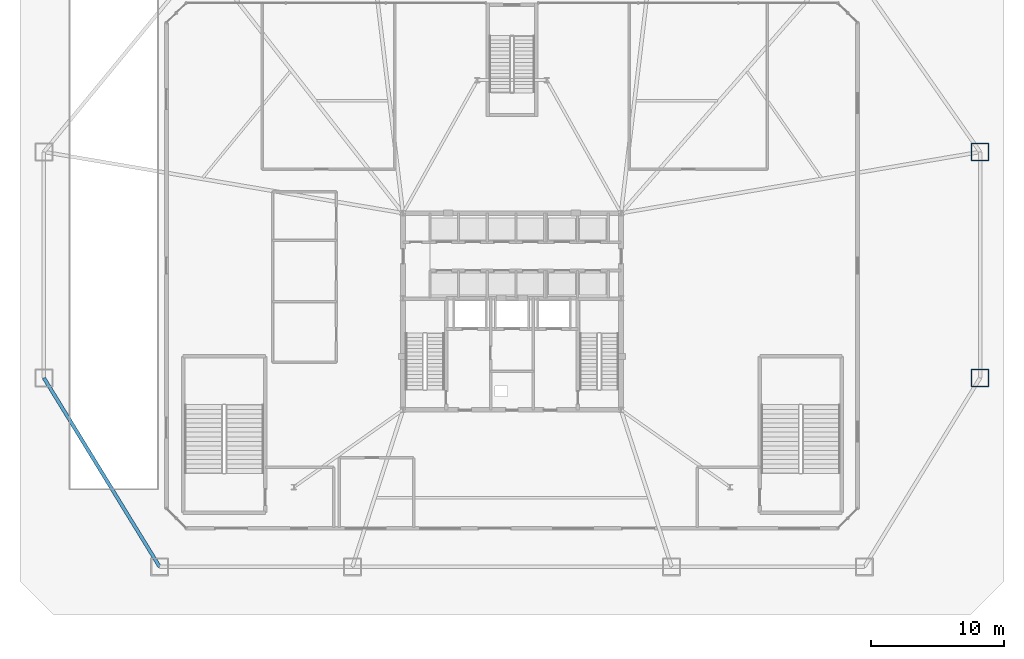
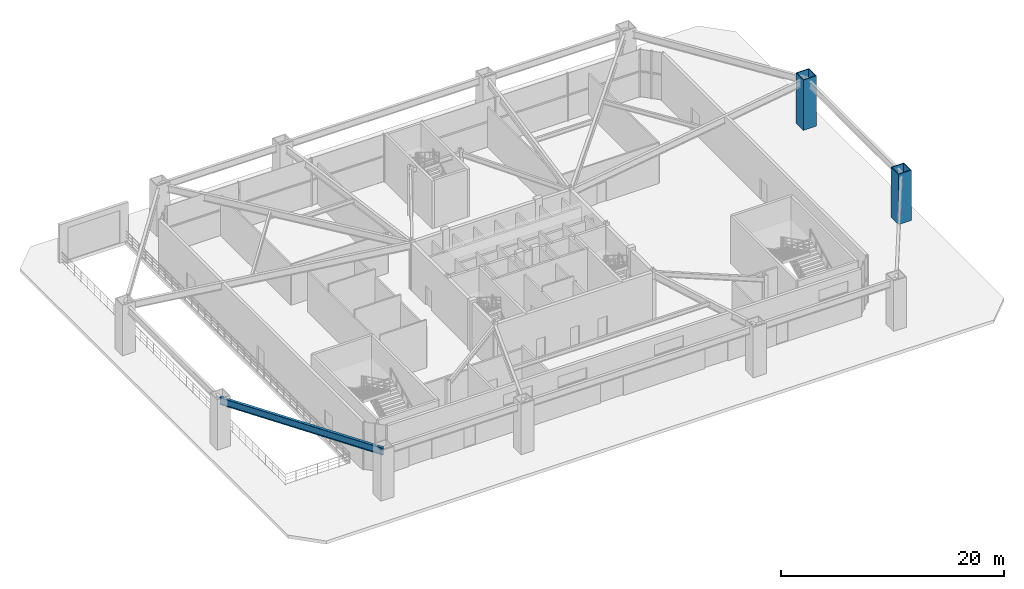
# One storey, part 4 of 20: 2 columns, 1 beam.
"""IFC4 building model written with IfcOpenShell, lengths in metres."""

from ifc_helpers import new_model, si_unit, direction, frame, origin, origin_2d, place, context, subcontext, project, spatial, hollow_rectangle, i_section, extrude, material, material_profile, profile_set, type_object, element, save


model = new_model("IFC4")

# Units and contexts
model_context = context("Model", 3, precision=1e-05, world=origin(), true_north=direction((0.0, 1.0)))
body_context = subcontext(model_context, "Body", "Model", "MODEL_VIEW")
ifc_project = project(units=[si_unit("LENGTHUNIT", "METRE"), si_unit("AREAUNIT", "SQUARE_METRE"), si_unit("VOLUMEUNIT", "CUBIC_METRE"), si_unit("PLANEANGLEUNIT", "RADIAN"), si_unit("MASSUNIT", "GRAM", prefix="KILO")], contexts=[model_context])

# Site, building, storey
site_placement = place(None, origin())
site = spatial("IfcSite", under=ifc_project, at=site_placement, CompositionType="ELEMENT")
building_placement = place(site_placement, origin())
building = spatial("IfcBuilding", under=site, at=building_placement, Name="Varakhsha Concourse Tower", CompositionType="ELEMENT")
storey_placement = place(building_placement, origin())
storey = spatial("IfcBuildingStorey", under=building, at=storey_placement, Name="L01", CompositionType="ELEMENT", Elevation=0.0)

# Columns
ifc_material_1 = material(Name="Structural Steel ASTM A572 Grade 50", Category="steel")
ifc_material_profile_1 = material_profile(ifc_material_1, hollow_rectangle(XDim=1.35009765625, YDim=1.35009765625, WallThickness=0.0849609375, at=origin_2d()), Name="BOX 1350x1350x85")
ifc_profile_set_1 = profile_set([ifc_material_profile_1], Name="Structural Steel ASTM A572 Grade 50")
column_type = type_object("IfcColumnType", Name="CL-STILT-1350", PredefinedType="COLUMN", material=ifc_profile_set_1)
for number, where, z_axis, x_axis, name in (
    (1, (75.199951171875, 18.800048828125, 0.0), (0.0, 0.0, 1.0), (1.0, 0.0, 0.0), "L01 Open Perimeter Box Stilt PC-E1"),
    (2, (75.199951171875, 35.800048828125, 0.0), (0.0, 0.0, 1.0), (1.0, 0.0, 0.0), "L01 Open Perimeter Box Stilt PC-E2"),
):
    element("IfcColumn", number, at=place(storey_placement, frame(where, z_axis=z_axis, x_axis=x_axis)), inside=storey, type_object=column_type, Name=name, PredefinedType="COLUMN", context=body_context, shape_type="SweptSolid", body=[
        extrude(hollow_rectangle(XDim=1.35009765625, YDim=1.35009765625, WallThickness=0.0849609375, at=origin_2d()), origin(), (0.0, 0.0, 1.0), 5.5),
    ])

# Beam
ifc_material_2 = material(Name="Structural Steel ASTM A992 Grade 50", Category="steel")
ifc_material_profile_2 = material_profile(ifc_material_2, i_section(OverallWidth=0.26611328125, OverallDepth=0.779052734375, WebThickness=0.01708984375, FlangeThickness=0.030029296875, at=origin_2d()), Name="W30X148")
ifc_profile_set_2 = profile_set([ifc_material_profile_2], Name="Structural Steel ASTM A992 Grade 50")
beam_type = type_object("IfcBeamType", Name="BM-BASE-W30X148", PredefinedType="USERDEFINED", material=ifc_profile_set_2)
beam_placement = place(storey_placement, frame((4.800048828125, 18.800048828125, 4.83056640625), z_axis=(0.522420415639, -0.852688049244, 0.0), x_axis=(0.852688049244, 0.522420415639, 0.0)))
element("IfcBeam", 3, at=beam_placement, inside=storey, type_object=beam_type, Name="BM-PRING-L01-12", ObjectType="GIRDER", PredefinedType="USERDEFINED", context=body_context, shape_type="SweptSolid", body=[
    extrude(i_section(OverallWidth=0.26611328125, OverallDepth=0.779052734375, WebThickness=0.01708984375, FlangeThickness=0.030029296875, at=origin_2d()), origin(), (0.0, 0.0, 1.0), 16.653076171875),
])

save(model, "model.ifc")
